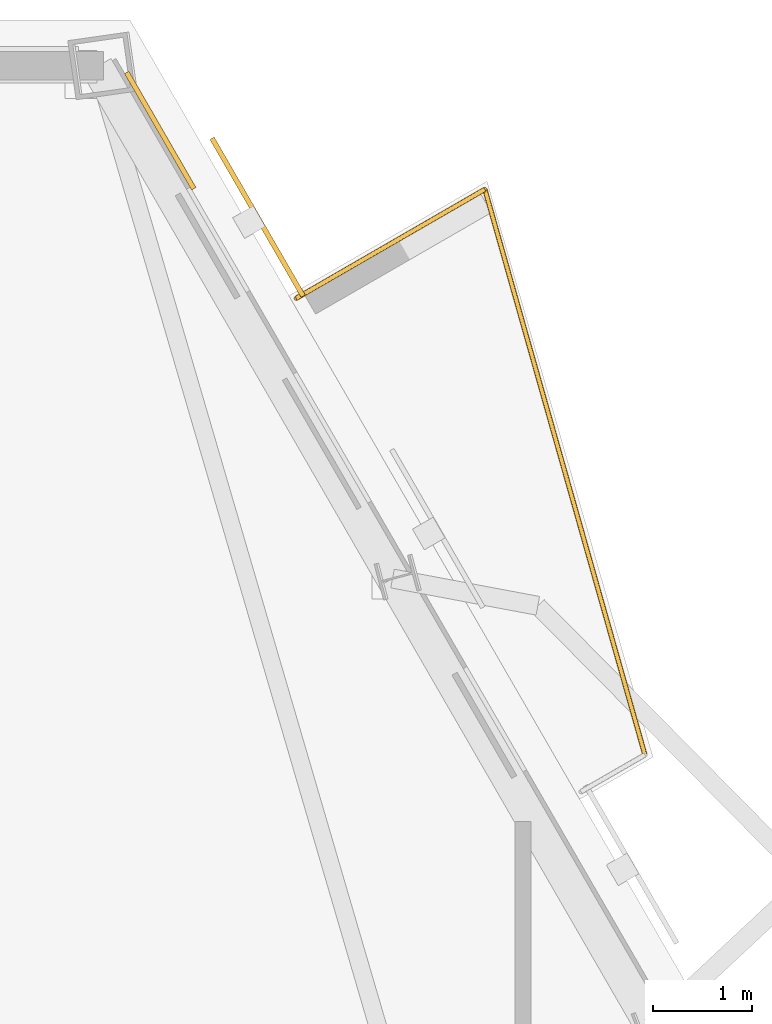
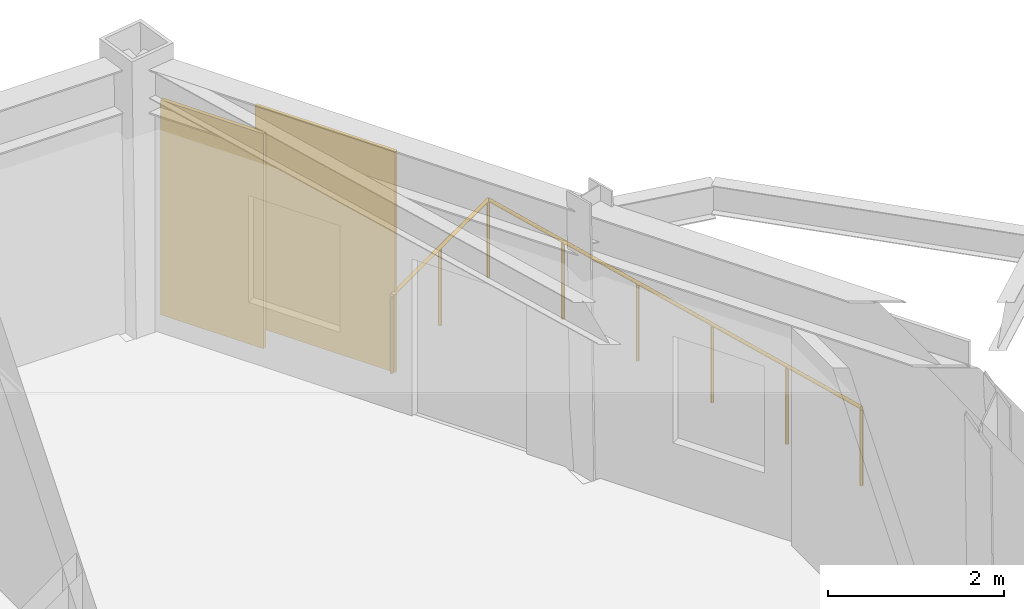
# One storey, part 9 of 9: 2 railings, 1 covering, 1 shading device.
"""IFC4 building model written with IfcOpenShell, lengths in metres."""

from ifc_helpers import new_model, si_unit, direction, frame, origin, origin_2d, place, context, subcontext, project, spatial, rectangle, circle, extrude, material, layer, layer_set, type_object, element, save


model = new_model("IFC4")

# Units and contexts
model_context = context("Model", 3, precision=1e-05, world=origin(), true_north=direction((0.0, 1.0)))
body_context = subcontext(model_context, "Body", "Model", "MODEL_VIEW")
ifc_project = project(units=[si_unit("LENGTHUNIT", "METRE"), si_unit("AREAUNIT", "SQUARE_METRE"), si_unit("VOLUMEUNIT", "CUBIC_METRE"), si_unit("PLANEANGLEUNIT", "RADIAN"), si_unit("MASSUNIT", "GRAM", prefix="KILO")], contexts=[model_context])

# Site, building, storey
site_placement = place(None, origin())
site = spatial("IfcSite", under=ifc_project, at=site_placement, CompositionType="ELEMENT")
building_placement = place(site_placement, origin())
building = spatial("IfcBuilding", under=site, at=building_placement, Name="Oramaril Tower", CompositionType="ELEMENT")
storey_placement = place(building_placement, frame((0.0, 0.0, 253.800048828125)))
storey = spatial("IfcBuildingStorey", under=building, at=storey_placement, Name="L67", CompositionType="ELEMENT", Elevation=253.800048828125)

# Covering
ifc_material_1 = material(Name="Warm Cream Limestone", Category="masonry")
ifc_layer = layer(ifc_material_1, 0.050048828125)
ifc_layer_set = layer_set([ifc_layer], Name="CVT-CLD")
covering_type = type_object("IfcCoveringType", Name="CVT-CLD", PredefinedType="CLADDING", material=ifc_layer_set)
covering_placement = place(storey_placement, frame((40.752685546875, 42.41748046875, 0.0400390625), z_axis=(0.0, 0.0, 1.0), x_axis=(-0.500001511499, 0.866024531118, 0.0)))
element("IfcCovering", 1, at=covering_placement, inside=storey, type_object=covering_type, Name="L67 Warm Cream Limestone Cladding", PredefinedType="CLADDING", context=body_context, shape_type="SweptSolid", body=[
    extrude(rectangle(XDim=1.35009765625, YDim=0.050048828125, at=origin_2d()), origin(), (0.0, 0.0, 1.0), 2.97802734375),
])

# Railings
ifc_material_2 = material(Name="Stainless Steel 316L", Category="steel")
railing_type = type_object("IfcRailingType", Name="RLT-GRD", PredefinedType="GUARDRAIL", material=ifc_material_2)
railing_1_placement = place(storey_placement, frame((42.119384765625, 40.730224609375, 0.0)))
element("IfcRailing", 2, at=railing_1_placement, inside=storey, type_object=railing_type, Name="L67 Balcony Guardrail L67-BAL-NE2.1", PredefinedType="GUARDRAIL", context=body_context, shape_type="SweptSolid", body=[
    extrude(circle(Radius=0.02392578125, at=origin_2d()), frame((0.0, 0.0, 1.076171875), z_axis=(0.865972267571, 0.50009202333, 0.0), x_axis=(-0.50009202333, 0.865972267571, 0.0)), (0.0, 0.0, 1.0), 2.19189453125),
    extrude(circle(Radius=0.02099609375, at=origin_2d()), origin(), (0.0, 0.0, 1.0), 1.052001953125),
    extrude(circle(Radius=0.02099609375, at=origin_2d()), frame((0.94921875, 0.548095703125, 0.0)), (0.0, 0.0, 1.0), 1.052001953125),
    extrude(circle(Radius=0.02099609375, at=origin_2d()), frame((1.898193359375, 1.09619140625, 0.0)), (0.0, 0.0, 1.0), 1.052001953125),
])
railing_2_placement = place(storey_placement, frame((44.017578125, 41.826416015625, 0.0)))
element("IfcRailing", 3, at=railing_2_placement, inside=storey, type_object=railing_type, Name="L67 Balcony Guardrail L67-BAL-NE2.2", PredefinedType="GUARDRAIL", context=body_context, shape_type="SweptSolid", body=[
    extrude(circle(Radius=0.02392578125, at=origin_2d()), frame((0.0, 0.0, 1.076171875), z_axis=(0.272287109361, -0.962216051662, 0.0), x_axis=(0.962216051662, 0.272287109361, 0.0)), (0.0, 0.0, 1.0), 5.91064453125),
    extrude(circle(Radius=0.02099609375, at=origin_2d()), origin(), (0.0, 0.0, 1.0), 1.052001953125),
    extrude(circle(Radius=0.02099609375, at=origin_2d()), frame((0.32177734375, -1.137451171875, 0.0)), (0.0, 0.0, 1.0), 1.052001953125),
    extrude(circle(Radius=0.02099609375, at=origin_2d()), frame((0.643798828125, -2.27490234375, 0.0)), (0.0, 0.0, 1.0), 1.052001953125),
    extrude(circle(Radius=0.02099609375, at=origin_2d()), frame((0.965576171875, -3.412353515625, 0.0)), (0.0, 0.0, 1.0), 1.052001953125),
    extrude(circle(Radius=0.02099609375, at=origin_2d()), frame((1.28759765625, -4.5498046875, 0.0)), (0.0, 0.0, 1.0), 1.052001953125),
    extrude(circle(Radius=0.02099609375, at=origin_2d()), frame((1.609375, -5.687255859375, 0.0)), (0.0, 0.0, 1.0), 1.052001953125),
])

# Shading device
shading_device_placement = place(storey_placement, frame((41.7314453125, 41.54638671875, -0.02001953125), z_axis=(0.0, 0.0, 1.0), x_axis=(-0.500001511499, 0.866024531118, 0.0)))
element("IfcShadingDevice", 4, at=shading_device_placement, inside=storey, Name="L67 Perforated Ceramic Solar Screen", ObjectType="SCREEN", PredefinedType="USERDEFINED", context=body_context, shape_type="SweptSolid", body=[
    extrude(rectangle(XDim=1.8330078125, YDim=0.050048828125, at=origin_2d()), origin(), (0.0, 0.0, 1.0), 3.05810546875),
])

save(model, "model.ifc")
